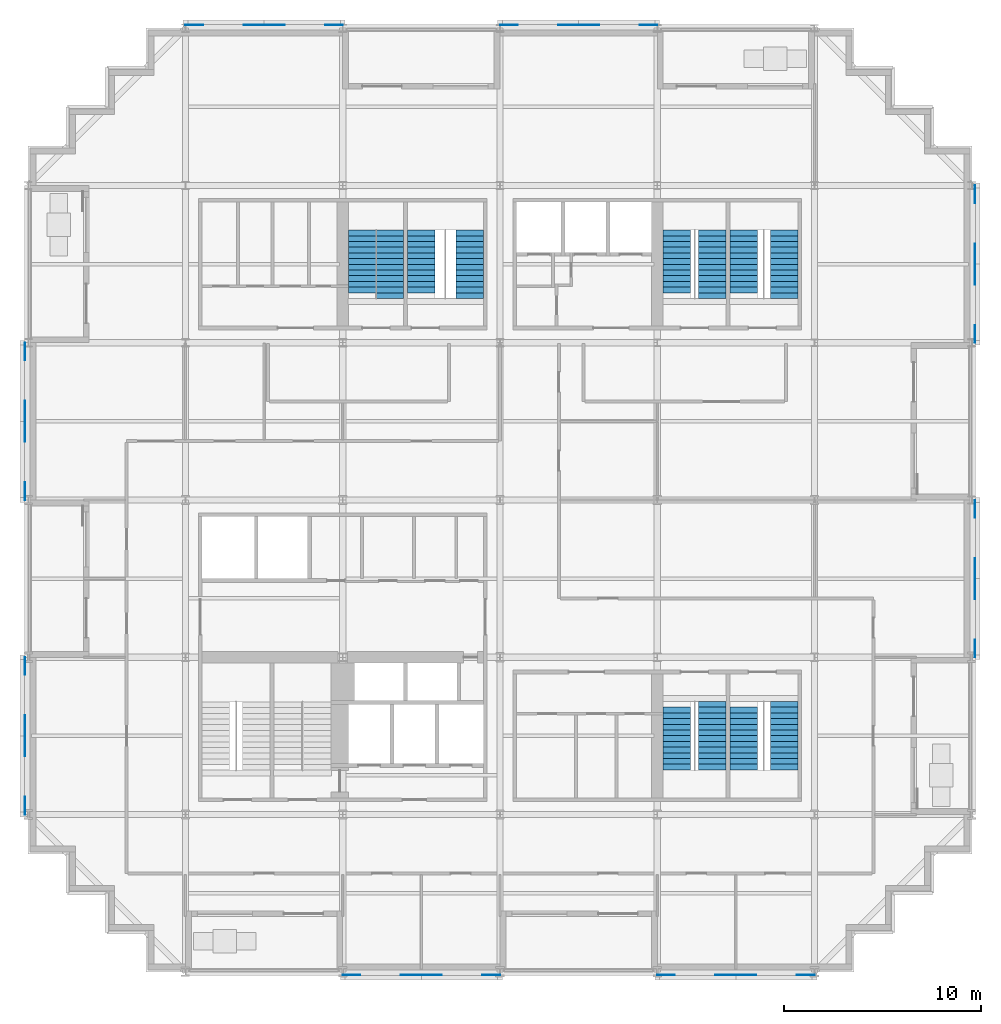
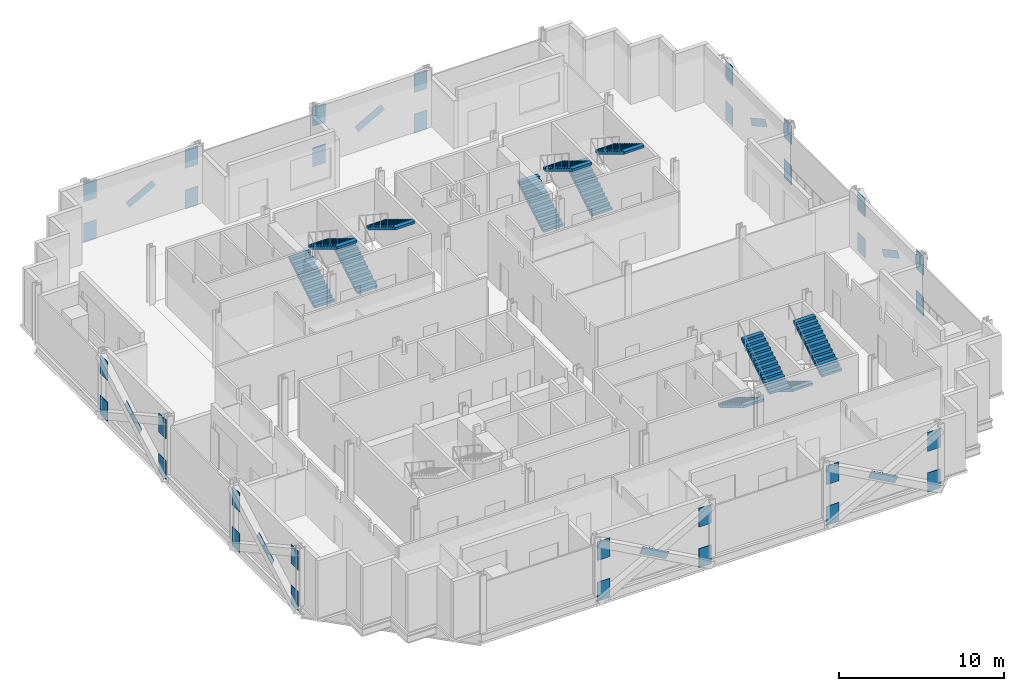
# One storey, part 10 of 13: 40 discrete accessories, 12 stair flights, 6 elements without a shape of their own.
"""IFC4 building model written with IfcOpenShell, lengths in metres."""

from ifc_helpers import new_model, si_unit, direction, frame, origin, origin_2d, place, context, subcontext, project, spatial, polyline, rectangle, outline, extrude, material, material_profile, profile_set, type_object, element, aggregate, save


model = new_model("IFC4")

# Units and contexts
model_context = context("Model", 3, precision=1e-05, world=origin(), true_north=direction((0.0, 1.0)))
body_context = subcontext(model_context, "Body", "Model", "MODEL_VIEW")
ifc_project = project(units=[si_unit("LENGTHUNIT", "METRE"), si_unit("AREAUNIT", "SQUARE_METRE"), si_unit("VOLUMEUNIT", "CUBIC_METRE"), si_unit("PLANEANGLEUNIT", "RADIAN"), si_unit("MASSUNIT", "GRAM", prefix="KILO")], contexts=[model_context])

# Site, building, storey
site_placement = place(None, origin())
site = spatial("IfcSite", under=ifc_project, at=site_placement, CompositionType="ELEMENT")
building_placement = place(site_placement, origin())
building = spatial("IfcBuilding", under=site, at=building_placement, Name="Immortelle Media Tower", CompositionType="ELEMENT")
storey_placement = place(building_placement, frame((0.0, 0.0, 56.800048828125)))
storey = spatial("IfcBuildingStorey", under=building, at=storey_placement, Name="L09", CompositionType="ELEMENT", Elevation=56.800048828125)

# Stair, stair flights
ifc_material_1 = material(Name="Steel ASTM A992 Gr 50", Category="steel")
stair_type = type_object("IfcStairType", Name="Stair with flights", PredefinedType="DOUBLE_RETURN_STAIR", material=ifc_material_1)
stair_1_placement = place(storey_placement, origin())
stair_1 = element("IfcStair", 1, at=stair_1_placement, inside=storey, type_object=stair_type, Name="Exit stair SE1", PredefinedType="DOUBLE_RETURN_STAIR")
stair_flight_type = type_object("IfcStairFlightType", Name="Stair flight 1400", PredefinedType="STRAIGHT", material=ifc_material_1)
stair_flight_1_placement = place(storey_placement, frame((33.0, 13.4599609375, 0.0), z_axis=(0.0, 0.0, 1.0), x_axis=(0.0, -1.0, 0.0)))
stair_flight_1 = element("IfcStairFlight", 2, at=stair_flight_1_placement, type_object=stair_flight_type, Name="ST SE1 flight 1", NumberOfRisers=12, NumberOfTreads=11, PredefinedType="STRAIGHT", RiserHeight=0.176, TreadLength=0.29, context=body_context, shape_type="SweptSolid", body=[
    extrude(outline(polyline([(0.0, 0.0), (0.0, 0.176025390625), (0.2900390625, 0.176025390625), (0.2900390625, 0.35205078125), (0.580078125, 0.35205078125), (0.580078125, 0.528076171875), (0.8701171875, 0.528076171875), (0.8701171875, 0.7041015625), (1.159912109375, 0.7041015625), (1.159912109375, 0.8798828125), (1.449951171875, 0.8798828125), (1.449951171875, 1.055908203125), (1.739990234375, 1.055908203125), (1.739990234375, 1.23193359375), (2.030029296875, 1.23193359375), (2.030029296875, 1.407958984375), (2.320068359375, 1.407958984375), (2.320068359375, 1.583984375), (2.610107421875, 1.583984375), (2.610107421875, 1.760009765625), (2.89990234375, 1.760009765625), (2.89990234375, 1.93603515625), (3.18994140625, 1.93603515625), (3.18994140625, 2.112060546875), (3.18994140625, 1.7607421875), (0.288818359375, 0.0), (0.0, 0.0)])), frame((0.0, 0.699951171875, 0.0), z_axis=(0.0, -1.0, 0.0), x_axis=(1.0, 0.0, 0.0)), (0.0, 0.0, 1.0), 1.39990234375),
])
stair_flight_2_placement = place(storey_placement, frame((34.800048828125, 10.27001953125, 2.112060546875), z_axis=(0.0, 0.0, 1.0), x_axis=(0.0, 1.0, 0.0)))
stair_flight_2 = element("IfcStairFlight", 3, at=stair_flight_2_placement, type_object=stair_flight_type, Name="ST SE1 flight 2", NumberOfRisers=13, NumberOfTreads=12, PredefinedType="STRAIGHT", RiserHeight=0.176, TreadLength=0.29, context=body_context, shape_type="SweptSolid", body=[
    extrude(outline(polyline([(0.0, 0.0), (0.0, 0.176025390625), (0.2900390625, 0.176025390625), (0.2900390625, 0.35205078125), (0.580078125, 0.35205078125), (0.580078125, 0.528076171875), (0.8701171875, 0.528076171875), (0.8701171875, 0.7041015625), (1.159912109375, 0.7041015625), (1.159912109375, 0.8798828125), (1.449951171875, 0.8798828125), (1.449951171875, 1.055908203125), (1.739990234375, 1.055908203125), (1.739990234375, 1.23193359375), (2.030029296875, 1.23193359375), (2.030029296875, 1.407958984375), (2.320068359375, 1.407958984375), (2.320068359375, 1.583984375), (2.610107421875, 1.583984375), (2.610107421875, 1.760009765625), (2.89990234375, 1.760009765625), (2.89990234375, 1.93603515625), (3.18994140625, 1.93603515625), (3.18994140625, 2.112060546875), (3.47998046875, 2.112060546875), (3.47998046875, 2.2880859375), (3.47998046875, 1.936767578125), (0.288818359375, 0.0), (0.0, 0.0)])), frame((0.0, 0.699951171875, 0.0), z_axis=(0.0, -1.0, 0.0), x_axis=(1.0, 0.0, 0.0)), (0.0, 0.0, 1.0), 1.39990234375),
])
aggregate(stair_1, [stair_flight_1, stair_flight_2])

stair_2_placement = place(storey_placement, origin())
stair_2 = element("IfcStair", 4, at=stair_2_placement, inside=storey, type_object=stair_type, Name="Exit stair SE2", PredefinedType="DOUBLE_RETURN_STAIR")
stair_flight_3_placement = place(storey_placement, frame((36.39990234375, 13.4599609375, 0.0), z_axis=(0.0, 0.0, 1.0), x_axis=(0.0, -1.0, 0.0)))
stair_flight_3 = element("IfcStairFlight", 5, at=stair_flight_3_placement, type_object=stair_flight_type, Name="ST SE2 flight 1", NumberOfRisers=12, NumberOfTreads=11, PredefinedType="STRAIGHT", RiserHeight=0.176, TreadLength=0.29, context=body_context, shape_type="SweptSolid", body=[
    extrude(outline(polyline([(0.0, 0.0), (0.0, 0.176025390625), (0.2900390625, 0.176025390625), (0.2900390625, 0.35205078125), (0.580078125, 0.35205078125), (0.580078125, 0.528076171875), (0.8701171875, 0.528076171875), (0.8701171875, 0.7041015625), (1.159912109375, 0.7041015625), (1.159912109375, 0.8798828125), (1.449951171875, 0.8798828125), (1.449951171875, 1.055908203125), (1.739990234375, 1.055908203125), (1.739990234375, 1.23193359375), (2.030029296875, 1.23193359375), (2.030029296875, 1.407958984375), (2.320068359375, 1.407958984375), (2.320068359375, 1.583984375), (2.610107421875, 1.583984375), (2.610107421875, 1.760009765625), (2.89990234375, 1.760009765625), (2.89990234375, 1.93603515625), (3.18994140625, 1.93603515625), (3.18994140625, 2.112060546875), (3.18994140625, 1.7607421875), (0.288818359375, 0.0), (0.0, 0.0)])), frame((0.0, 0.699951171875, 0.0), z_axis=(0.0, -1.0, 0.0), x_axis=(1.0, 0.0, 0.0)), (0.0, 0.0, 1.0), 1.39990234375),
])
stair_flight_4_placement = place(storey_placement, frame((38.449951171875, 10.27001953125, 2.112060546875), z_axis=(0.0, 0.0, 1.0), x_axis=(0.0, 1.0, 0.0)))
stair_flight_4 = element("IfcStairFlight", 6, at=stair_flight_4_placement, type_object=stair_flight_type, Name="ST SE2 flight 2", NumberOfRisers=13, NumberOfTreads=12, PredefinedType="STRAIGHT", RiserHeight=0.176, TreadLength=0.29, context=body_context, shape_type="SweptSolid", body=[
    extrude(outline(polyline([(0.0, 0.0), (0.0, 0.176025390625), (0.2900390625, 0.176025390625), (0.2900390625, 0.35205078125), (0.580078125, 0.35205078125), (0.580078125, 0.528076171875), (0.8701171875, 0.528076171875), (0.8701171875, 0.7041015625), (1.159912109375, 0.7041015625), (1.159912109375, 0.8798828125), (1.449951171875, 0.8798828125), (1.449951171875, 1.055908203125), (1.739990234375, 1.055908203125), (1.739990234375, 1.23193359375), (2.030029296875, 1.23193359375), (2.030029296875, 1.407958984375), (2.320068359375, 1.407958984375), (2.320068359375, 1.583984375), (2.610107421875, 1.583984375), (2.610107421875, 1.760009765625), (2.89990234375, 1.760009765625), (2.89990234375, 1.93603515625), (3.18994140625, 1.93603515625), (3.18994140625, 2.112060546875), (3.47998046875, 2.112060546875), (3.47998046875, 2.2880859375), (3.47998046875, 1.936767578125), (0.288818359375, 0.0), (0.0, 0.0)])), frame((0.0, 0.699951171875, 0.0), z_axis=(0.0, -1.0, 0.0), x_axis=(1.0, 0.0, 0.0)), (0.0, 0.0, 1.0), 1.39990234375),
])
aggregate(stair_2, [stair_flight_3, stair_flight_4])

stair_3_placement = place(storey_placement, origin())
stair_3 = element("IfcStair", 7, at=stair_3_placement, inside=storey, type_object=stair_type, Name="Exit stair NW1", PredefinedType="DOUBLE_RETURN_STAIR")
stair_flight_5_placement = place(storey_placement, frame((17.0, 34.5400390625, 0.0), z_axis=(0.0, 0.0, 1.0), x_axis=(0.0, 1.0, 0.0)))
stair_flight_5 = element("IfcStairFlight", 8, at=stair_flight_5_placement, type_object=stair_flight_type, Name="ST NW1 flight 1", NumberOfRisers=12, NumberOfTreads=11, PredefinedType="STRAIGHT", RiserHeight=0.176, TreadLength=0.29, context=body_context, shape_type="SweptSolid", body=[
    extrude(outline(polyline([(0.0, 0.0), (0.0, 0.176025390625), (0.2900390625, 0.176025390625), (0.2900390625, 0.35205078125), (0.580078125, 0.35205078125), (0.580078125, 0.528076171875), (0.8701171875, 0.528076171875), (0.8701171875, 0.7041015625), (1.159912109375, 0.7041015625), (1.159912109375, 0.8798828125), (1.449951171875, 0.8798828125), (1.449951171875, 1.055908203125), (1.739990234375, 1.055908203125), (1.739990234375, 1.23193359375), (2.030029296875, 1.23193359375), (2.030029296875, 1.407958984375), (2.320068359375, 1.407958984375), (2.320068359375, 1.583984375), (2.610107421875, 1.583984375), (2.610107421875, 1.760009765625), (2.89990234375, 1.760009765625), (2.89990234375, 1.93603515625), (3.18994140625, 1.93603515625), (3.18994140625, 2.112060546875), (3.18994140625, 1.7607421875), (0.288818359375, 0.0), (0.0, 0.0)])), frame((0.0, 0.699951171875, 0.0), z_axis=(0.0, -1.0, 0.0), x_axis=(1.0, 0.0, 0.0)), (0.0, 0.0, 1.0), 1.39990234375),
])
stair_flight_6_placement = place(storey_placement, frame((18.39990234375, 37.72998046875, 2.112060546875), z_axis=(0.0, 0.0, 1.0), x_axis=(0.0, -1.0, 0.0)))
stair_flight_6 = element("IfcStairFlight", 9, at=stair_flight_6_placement, type_object=stair_flight_type, Name="ST NW1 flight 2", NumberOfRisers=13, NumberOfTreads=12, PredefinedType="STRAIGHT", RiserHeight=0.176, TreadLength=0.29, context=body_context, shape_type="SweptSolid", body=[
    extrude(outline(polyline([(0.0, 0.0), (0.0, 0.176025390625), (0.2900390625, 0.176025390625), (0.2900390625, 0.35205078125), (0.580078125, 0.35205078125), (0.580078125, 0.528076171875), (0.8701171875, 0.528076171875), (0.8701171875, 0.7041015625), (1.159912109375, 0.7041015625), (1.159912109375, 0.8798828125), (1.449951171875, 0.8798828125), (1.449951171875, 1.055908203125), (1.739990234375, 1.055908203125), (1.739990234375, 1.23193359375), (2.030029296875, 1.23193359375), (2.030029296875, 1.407958984375), (2.320068359375, 1.407958984375), (2.320068359375, 1.583984375), (2.610107421875, 1.583984375), (2.610107421875, 1.760009765625), (2.89990234375, 1.760009765625), (2.89990234375, 1.93603515625), (3.18994140625, 1.93603515625), (3.18994140625, 2.112060546875), (3.47998046875, 2.112060546875), (3.47998046875, 2.2880859375), (3.47998046875, 1.936767578125), (0.288818359375, 0.0), (0.0, 0.0)])), frame((0.0, 0.699951171875, 0.0), z_axis=(0.0, -1.0, 0.0), x_axis=(1.0, 0.0, 0.0)), (0.0, 0.0, 1.0), 1.39990234375),
])
aggregate(stair_3, [stair_flight_5, stair_flight_6])

stair_4_placement = place(storey_placement, origin())
stair_4 = element("IfcStair", 10, at=stair_4_placement, inside=storey, type_object=stair_type, Name="Exit stair NW2", PredefinedType="DOUBLE_RETURN_STAIR")
stair_flight_7_placement = place(storey_placement, frame((20.0, 34.5400390625, 0.0), z_axis=(0.0, 0.0, 1.0), x_axis=(0.0, 1.0, 0.0)))
stair_flight_7 = element("IfcStairFlight", 11, at=stair_flight_7_placement, type_object=stair_flight_type, Name="ST NW2 flight 1", NumberOfRisers=12, NumberOfTreads=11, PredefinedType="STRAIGHT", RiserHeight=0.176, TreadLength=0.29, context=body_context, shape_type="SweptSolid", body=[
    extrude(outline(polyline([(0.0, 0.0), (0.0, 0.176025390625), (0.2900390625, 0.176025390625), (0.2900390625, 0.35205078125), (0.580078125, 0.35205078125), (0.580078125, 0.528076171875), (0.8701171875, 0.528076171875), (0.8701171875, 0.7041015625), (1.159912109375, 0.7041015625), (1.159912109375, 0.8798828125), (1.449951171875, 0.8798828125), (1.449951171875, 1.055908203125), (1.739990234375, 1.055908203125), (1.739990234375, 1.23193359375), (2.030029296875, 1.23193359375), (2.030029296875, 1.407958984375), (2.320068359375, 1.407958984375), (2.320068359375, 1.583984375), (2.610107421875, 1.583984375), (2.610107421875, 1.760009765625), (2.89990234375, 1.760009765625), (2.89990234375, 1.93603515625), (3.18994140625, 1.93603515625), (3.18994140625, 2.112060546875), (3.18994140625, 1.7607421875), (0.288818359375, 0.0), (0.0, 0.0)])), frame((0.0, 0.699951171875, 0.0), z_axis=(0.0, -1.0, 0.0), x_axis=(1.0, 0.0, 0.0)), (0.0, 0.0, 1.0), 1.39990234375),
])
stair_flight_8_placement = place(storey_placement, frame((22.449951171875, 37.72998046875, 2.112060546875), z_axis=(0.0, 0.0, 1.0), x_axis=(0.0, -1.0, 0.0)))
stair_flight_8 = element("IfcStairFlight", 12, at=stair_flight_8_placement, type_object=stair_flight_type, Name="ST NW2 flight 2", NumberOfRisers=13, NumberOfTreads=12, PredefinedType="STRAIGHT", RiserHeight=0.176, TreadLength=0.29, context=body_context, shape_type="SweptSolid", body=[
    extrude(outline(polyline([(0.0, 0.0), (0.0, 0.176025390625), (0.2900390625, 0.176025390625), (0.2900390625, 0.35205078125), (0.580078125, 0.35205078125), (0.580078125, 0.528076171875), (0.8701171875, 0.528076171875), (0.8701171875, 0.7041015625), (1.159912109375, 0.7041015625), (1.159912109375, 0.8798828125), (1.449951171875, 0.8798828125), (1.449951171875, 1.055908203125), (1.739990234375, 1.055908203125), (1.739990234375, 1.23193359375), (2.030029296875, 1.23193359375), (2.030029296875, 1.407958984375), (2.320068359375, 1.407958984375), (2.320068359375, 1.583984375), (2.610107421875, 1.583984375), (2.610107421875, 1.760009765625), (2.89990234375, 1.760009765625), (2.89990234375, 1.93603515625), (3.18994140625, 1.93603515625), (3.18994140625, 2.112060546875), (3.47998046875, 2.112060546875), (3.47998046875, 2.2880859375), (3.47998046875, 1.936767578125), (0.288818359375, 0.0), (0.0, 0.0)])), frame((0.0, 0.699951171875, 0.0), z_axis=(0.0, -1.0, 0.0), x_axis=(1.0, 0.0, 0.0)), (0.0, 0.0, 1.0), 1.39990234375),
])
aggregate(stair_4, [stair_flight_7, stair_flight_8])

stair_5_placement = place(storey_placement, origin())
stair_5 = element("IfcStair", 13, at=stair_5_placement, inside=storey, type_object=stair_type, Name="Exit stair NE1", PredefinedType="DOUBLE_RETURN_STAIR")
stair_flight_9_placement = place(storey_placement, frame((33.0, 34.5400390625, 0.0), z_axis=(0.0, 0.0, 1.0), x_axis=(0.0, 1.0, 0.0)))
stair_flight_9 = element("IfcStairFlight", 14, at=stair_flight_9_placement, type_object=stair_flight_type, Name="ST NE1 flight 1", NumberOfRisers=12, NumberOfTreads=11, PredefinedType="STRAIGHT", RiserHeight=0.176, TreadLength=0.29, context=body_context, shape_type="SweptSolid", body=[
    extrude(outline(polyline([(0.0, 0.0), (0.0, 0.176025390625), (0.2900390625, 0.176025390625), (0.2900390625, 0.35205078125), (0.580078125, 0.35205078125), (0.580078125, 0.528076171875), (0.8701171875, 0.528076171875), (0.8701171875, 0.7041015625), (1.159912109375, 0.7041015625), (1.159912109375, 0.8798828125), (1.449951171875, 0.8798828125), (1.449951171875, 1.055908203125), (1.739990234375, 1.055908203125), (1.739990234375, 1.23193359375), (2.030029296875, 1.23193359375), (2.030029296875, 1.407958984375), (2.320068359375, 1.407958984375), (2.320068359375, 1.583984375), (2.610107421875, 1.583984375), (2.610107421875, 1.760009765625), (2.89990234375, 1.760009765625), (2.89990234375, 1.93603515625), (3.18994140625, 1.93603515625), (3.18994140625, 2.112060546875), (3.18994140625, 1.7607421875), (0.288818359375, 0.0), (0.0, 0.0)])), frame((0.0, 0.699951171875, 0.0), z_axis=(0.0, -1.0, 0.0), x_axis=(1.0, 0.0, 0.0)), (0.0, 0.0, 1.0), 1.39990234375),
])
stair_flight_10_placement = place(storey_placement, frame((34.800048828125, 37.72998046875, 2.112060546875), z_axis=(0.0, 0.0, 1.0), x_axis=(0.0, -1.0, 0.0)))
stair_flight_10 = element("IfcStairFlight", 15, at=stair_flight_10_placement, type_object=stair_flight_type, Name="ST NE1 flight 2", NumberOfRisers=13, NumberOfTreads=12, PredefinedType="STRAIGHT", RiserHeight=0.176, TreadLength=0.29, context=body_context, shape_type="SweptSolid", body=[
    extrude(outline(polyline([(0.0, 0.0), (0.0, 0.176025390625), (0.2900390625, 0.176025390625), (0.2900390625, 0.35205078125), (0.580078125, 0.35205078125), (0.580078125, 0.528076171875), (0.8701171875, 0.528076171875), (0.8701171875, 0.7041015625), (1.159912109375, 0.7041015625), (1.159912109375, 0.8798828125), (1.449951171875, 0.8798828125), (1.449951171875, 1.055908203125), (1.739990234375, 1.055908203125), (1.739990234375, 1.23193359375), (2.030029296875, 1.23193359375), (2.030029296875, 1.407958984375), (2.320068359375, 1.407958984375), (2.320068359375, 1.583984375), (2.610107421875, 1.583984375), (2.610107421875, 1.760009765625), (2.89990234375, 1.760009765625), (2.89990234375, 1.93603515625), (3.18994140625, 1.93603515625), (3.18994140625, 2.112060546875), (3.47998046875, 2.112060546875), (3.47998046875, 2.2880859375), (3.47998046875, 1.936767578125), (0.288818359375, 0.0), (0.0, 0.0)])), frame((0.0, 0.699951171875, 0.0), z_axis=(0.0, -1.0, 0.0), x_axis=(1.0, 0.0, 0.0)), (0.0, 0.0, 1.0), 1.39990234375),
])
aggregate(stair_5, [stair_flight_9, stair_flight_10])

stair_6_placement = place(storey_placement, origin())
stair_6 = element("IfcStair", 16, at=stair_6_placement, inside=storey, type_object=stair_type, Name="Exit stair NE2", PredefinedType="DOUBLE_RETURN_STAIR")
stair_flight_11_placement = place(storey_placement, frame((36.39990234375, 34.5400390625, 0.0), z_axis=(0.0, 0.0, 1.0), x_axis=(0.0, 1.0, 0.0)))
stair_flight_11 = element("IfcStairFlight", 17, at=stair_flight_11_placement, type_object=stair_flight_type, Name="ST NE2 flight 1", NumberOfRisers=12, NumberOfTreads=11, PredefinedType="STRAIGHT", RiserHeight=0.176, TreadLength=0.29, context=body_context, shape_type="SweptSolid", body=[
    extrude(outline(polyline([(0.0, 0.0), (0.0, 0.176025390625), (0.2900390625, 0.176025390625), (0.2900390625, 0.35205078125), (0.580078125, 0.35205078125), (0.580078125, 0.528076171875), (0.8701171875, 0.528076171875), (0.8701171875, 0.7041015625), (1.159912109375, 0.7041015625), (1.159912109375, 0.8798828125), (1.449951171875, 0.8798828125), (1.449951171875, 1.055908203125), (1.739990234375, 1.055908203125), (1.739990234375, 1.23193359375), (2.030029296875, 1.23193359375), (2.030029296875, 1.407958984375), (2.320068359375, 1.407958984375), (2.320068359375, 1.583984375), (2.610107421875, 1.583984375), (2.610107421875, 1.760009765625), (2.89990234375, 1.760009765625), (2.89990234375, 1.93603515625), (3.18994140625, 1.93603515625), (3.18994140625, 2.112060546875), (3.18994140625, 1.7607421875), (0.288818359375, 0.0), (0.0, 0.0)])), frame((0.0, 0.699951171875, 0.0), z_axis=(0.0, -1.0, 0.0), x_axis=(1.0, 0.0, 0.0)), (0.0, 0.0, 1.0), 1.39990234375),
])
stair_flight_12_placement = place(storey_placement, frame((38.449951171875, 37.72998046875, 2.112060546875), z_axis=(0.0, 0.0, 1.0), x_axis=(0.0, -1.0, 0.0)))
stair_flight_12 = element("IfcStairFlight", 18, at=stair_flight_12_placement, type_object=stair_flight_type, Name="ST NE2 flight 2", NumberOfRisers=13, NumberOfTreads=12, PredefinedType="STRAIGHT", RiserHeight=0.176, TreadLength=0.29, context=body_context, shape_type="SweptSolid", body=[
    extrude(outline(polyline([(0.0, 0.0), (0.0, 0.176025390625), (0.2900390625, 0.176025390625), (0.2900390625, 0.35205078125), (0.580078125, 0.35205078125), (0.580078125, 0.528076171875), (0.8701171875, 0.528076171875), (0.8701171875, 0.7041015625), (1.159912109375, 0.7041015625), (1.159912109375, 0.8798828125), (1.449951171875, 0.8798828125), (1.449951171875, 1.055908203125), (1.739990234375, 1.055908203125), (1.739990234375, 1.23193359375), (2.030029296875, 1.23193359375), (2.030029296875, 1.407958984375), (2.320068359375, 1.407958984375), (2.320068359375, 1.583984375), (2.610107421875, 1.583984375), (2.610107421875, 1.760009765625), (2.89990234375, 1.760009765625), (2.89990234375, 1.93603515625), (3.18994140625, 1.93603515625), (3.18994140625, 2.112060546875), (3.47998046875, 2.112060546875), (3.47998046875, 2.2880859375), (3.47998046875, 1.936767578125), (0.288818359375, 0.0), (0.0, 0.0)])), frame((0.0, 0.699951171875, 0.0), z_axis=(0.0, -1.0, 0.0), x_axis=(1.0, 0.0, 0.0)), (0.0, 0.0, 1.0), 1.39990234375),
])
aggregate(stair_6, [stair_flight_11, stair_flight_12])

# Discrete accessories
ifc_material_2 = material(Name="Steel ASTM A572 Gr 50", Category="steel")
ifc_material_profile_1 = material_profile(ifc_material_2, rectangle(XDim=0.02392578125, YDim=0.508056640625, at=origin_2d()), Name="PL 24 x 508")
ifc_profile_set_1 = profile_set([ifc_material_profile_1], Name="Steel ASTM A572 Gr 50")
discrete_accessory_type_1 = type_object("IfcDiscreteAccessoryType", Name="Crossing plate XP-BR2 2100 x 508 x 24", PredefinedType="USERDEFINED", material=ifc_profile_set_1)
for number, where, z_axis, x_axis, name in (
    (19, (-0.1640625, 28.919921875, 2.2080078125), (0.0, -0.876206089199, -0.481936602937), (1.0, 0.0, 0.0), "Crossing plate XP-BR2 of Brace 1/D-E A and Brace 1/D-E B"),
    (20, (-0.1640625, 12.919921875, 2.2080078125), (0.0, -0.876206089199, -0.481936602937), (1.0, 0.0, 0.0), "Crossing plate XP-BR2 of Brace 1/B-C A and Brace 1/B-C B"),
    (21, (48.1640625, 19.080078125, 2.2080078125), (0.0, 0.876206089199, -0.481936602937), (-1.0, 0.0, 0.0), "Crossing plate XP-BR2 of Brace 7/C-D A and Brace 7/C-D B"),
    (22, (48.1640625, 35.080078125, 2.2080078125), (0.0, 0.876206089199, -0.481936602937), (-1.0, 0.0, 0.0), "Crossing plate XP-BR2 of Brace 7/E-F A and Brace 7/E-F B"),
    (23, (28.919921875, 48.1640625, 2.2080078125), (-0.876206089199, 0.0, -0.481936602937), (0.0, -1.0, 0.0), "Crossing plate XP-BR2 of Brace G/4-5 A and Brace G/4-5 B"),
    (24, (12.919921875, 48.1640625, 2.2080078125), (-0.876206089199, 0.0, -0.481936602937), (0.0, -1.0, 0.0), "Crossing plate XP-BR2 of Brace G/2-3 A and Brace G/2-3 B"),
    (25, (19.080078125, -0.1640625, 2.2080078125), (0.876206089199, 0.0, -0.481936602937), (0.0, 1.0, 0.0), "Crossing plate XP-BR2 of Brace A/3-4 A and Brace A/3-4 B"),
    (26, (35.080078125, -0.1640625, 2.2080078125), (0.876206089199, 0.0, -0.481936602937), (0.0, 1.0, 0.0), "Crossing plate XP-BR2 of Brace A/5-6 A and Brace A/5-6 B"),
):
    element("IfcDiscreteAccessory", number, at=place(storey_placement, frame(where, z_axis=z_axis, x_axis=x_axis)), inside=storey, type_object=discrete_accessory_type_1, Name=name, ObjectType="CROSSING PLATE", PredefinedType="USERDEFINED", context=body_context, shape_type="SweptSolid", body=[
        extrude(rectangle(XDim=0.02392578125, YDim=0.508056640625, at=origin_2d()), origin(), (0.0, 0.0, 1.0), 2.099853515625),
    ])
ifc_material_profile_2 = material_profile(ifc_material_2, rectangle(XDim=0.031982421875, YDim=1.39990234375, at=origin_2d()), Name="PL 32 x 1400")
ifc_profile_set_2 = profile_set([ifc_material_profile_2], Name="Steel ASTM A572 Gr 50")
discrete_accessory_type_2 = type_object("IfcDiscreteAccessoryType", Name="Gusset plate GP1 900 x 1400 x 32", PredefinedType="USERDEFINED", material=ifc_profile_set_2)
for number, where, z_axis, x_axis, name in (
    (27, (-0.1640625, 32.0, 0.201904296875), (0.0, -1.0, 0.0), (1.0, 0.0, 0.0), "Gusset plate GP1, lower end of Brace 1/D-E A"),
    (28, (-0.1640625, 24.0, 3.201904296875), (0.0, 1.0, 0.0), (-1.0, 0.0, 0.0), "Gusset plate GP1, upper end of Brace 1/D-E A"),
    (29, (-0.1640625, 24.0, 0.201904296875), (0.0, 1.0, 0.0), (-1.0, 0.0, 0.0), "Gusset plate GP1, lower end of Brace 1/D-E B"),
    (30, (-0.1640625, 32.0, 3.201904296875), (0.0, -1.0, 0.0), (1.0, 0.0, 0.0), "Gusset plate GP1, upper end of Brace 1/D-E B"),
    (31, (-0.1640625, 16.0, 0.201904296875), (0.0, -1.0, 0.0), (1.0, 0.0, 0.0), "Gusset plate GP1, lower end of Brace 1/B-C A"),
    (32, (-0.1640625, 8.0, 3.201904296875), (0.0, 1.0, 0.0), (-1.0, 0.0, 0.0), "Gusset plate GP1, upper end of Brace 1/B-C A"),
    (33, (-0.1640625, 8.0, 0.201904296875), (0.0, 1.0, 0.0), (-1.0, 0.0, 0.0), "Gusset plate GP1, lower end of Brace 1/B-C B"),
    (34, (-0.1640625, 16.0, 3.201904296875), (0.0, -1.0, 0.0), (1.0, 0.0, 0.0), "Gusset plate GP1, upper end of Brace 1/B-C B"),
    (35, (16.0, -0.1640625, 0.201904296875), (1.0, 0.0, 0.0), (0.0, 1.0, 0.0), "Gusset plate GP1, lower end of Brace A/3-4 A"),
    (36, (24.0, -0.1640625, 3.201904296875), (-1.0, 0.0, 0.0), (0.0, -1.0, 0.0), "Gusset plate GP1, upper end of Brace A/3-4 A"),
    (37, (24.0, -0.1640625, 0.201904296875), (-1.0, 0.0, 0.0), (0.0, -1.0, 0.0), "Gusset plate GP1, lower end of Brace A/3-4 B"),
    (38, (16.0, -0.1640625, 3.201904296875), (1.0, 0.0, 0.0), (0.0, 1.0, 0.0), "Gusset plate GP1, upper end of Brace A/3-4 B"),
    (39, (32.0, -0.1640625, 0.201904296875), (1.0, 0.0, 0.0), (0.0, 1.0, 0.0), "Gusset plate GP1, lower end of Brace A/5-6 A"),
    (40, (40.0, -0.1640625, 3.201904296875), (-1.0, 0.0, 0.0), (0.0, -1.0, 0.0), "Gusset plate GP1, upper end of Brace A/5-6 A"),
    (41, (40.0, -0.1640625, 0.201904296875), (-1.0, 0.0, 0.0), (0.0, -1.0, 0.0), "Gusset plate GP1, lower end of Brace A/5-6 B"),
    (42, (32.0, -0.1640625, 3.201904296875), (1.0, 0.0, 0.0), (0.0, 1.0, 0.0), "Gusset plate GP1, upper end of Brace A/5-6 B"),
    (43, (48.1640625, 16.0, 0.201904296875), (0.0, 1.0, 0.0), (-1.0, 0.0, 0.0), "Gusset plate GP1, lower end of Brace 7/C-D A"),
    (44, (48.1640625, 24.0, 3.201904296875), (0.0, -1.0, 0.0), (1.0, 0.0, 0.0), "Gusset plate GP1, upper end of Brace 7/C-D A"),
    (45, (48.1640625, 24.0, 0.201904296875), (0.0, -1.0, 0.0), (1.0, 0.0, 0.0), "Gusset plate GP1, lower end of Brace 7/C-D B"),
    (46, (48.1640625, 16.0, 3.201904296875), (0.0, 1.0, 0.0), (-1.0, 0.0, 0.0), "Gusset plate GP1, upper end of Brace 7/C-D B"),
    (47, (48.1640625, 32.0, 0.201904296875), (0.0, 1.0, 0.0), (-1.0, 0.0, 0.0), "Gusset plate GP1, lower end of Brace 7/E-F A"),
    (48, (48.1640625, 40.0, 3.201904296875), (0.0, -1.0, 0.0), (1.0, 0.0, 0.0), "Gusset plate GP1, upper end of Brace 7/E-F A"),
    (49, (48.1640625, 40.0, 0.201904296875), (0.0, -1.0, 0.0), (1.0, 0.0, 0.0), "Gusset plate GP1, lower end of Brace 7/E-F B"),
    (50, (48.1640625, 32.0, 3.201904296875), (0.0, 1.0, 0.0), (-1.0, 0.0, 0.0), "Gusset plate GP1, upper end of Brace 7/E-F B"),
    (51, (32.0, 48.1640625, 0.201904296875), (-1.0, 0.0, 0.0), (0.0, -1.0, 0.0), "Gusset plate GP1, lower end of Brace G/4-5 A"),
    (52, (24.0, 48.1640625, 3.201904296875), (1.0, 0.0, 0.0), (0.0, 1.0, 0.0), "Gusset plate GP1, upper end of Brace G/4-5 A"),
    (53, (24.0, 48.1640625, 0.201904296875), (1.0, 0.0, 0.0), (0.0, 1.0, 0.0), "Gusset plate GP1, lower end of Brace G/4-5 B"),
    (54, (32.0, 48.1640625, 3.201904296875), (-1.0, 0.0, 0.0), (0.0, -1.0, 0.0), "Gusset plate GP1, upper end of Brace G/4-5 B"),
    (55, (16.0, 48.1640625, 0.201904296875), (-1.0, 0.0, 0.0), (0.0, -1.0, 0.0), "Gusset plate GP1, lower end of Brace G/2-3 A"),
    (56, (8.0, 48.1640625, 3.201904296875), (1.0, 0.0, 0.0), (0.0, 1.0, 0.0), "Gusset plate GP1, upper end of Brace G/2-3 A"),
    (57, (8.0, 48.1640625, 0.201904296875), (1.0, 0.0, 0.0), (0.0, 1.0, 0.0), "Gusset plate GP1, lower end of Brace G/2-3 B"),
    (58, (16.0, 48.1640625, 3.201904296875), (-1.0, 0.0, 0.0), (0.0, -1.0, 0.0), "Gusset plate GP1, upper end of Brace G/2-3 B"),
):
    element("IfcDiscreteAccessory", number, at=place(storey_placement, frame(where, z_axis=z_axis, x_axis=x_axis)), inside=storey, type_object=discrete_accessory_type_2, Name=name, ObjectType="GUSSET PLATE", PredefinedType="USERDEFINED", context=body_context, shape_type="SweptSolid", body=[
        extrude(rectangle(XDim=0.031982421875, YDim=1.39990234375, at=origin_2d()), origin(), (0.0, 0.0, 1.0), 0.89990234375),
    ])

save(model, "model.ifc")
